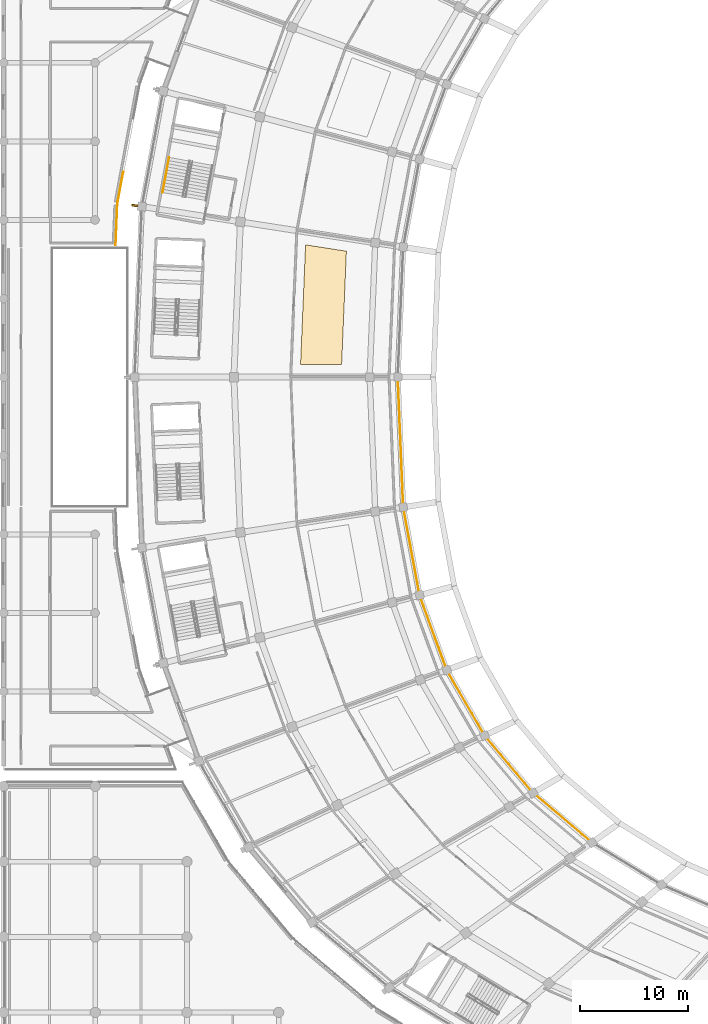
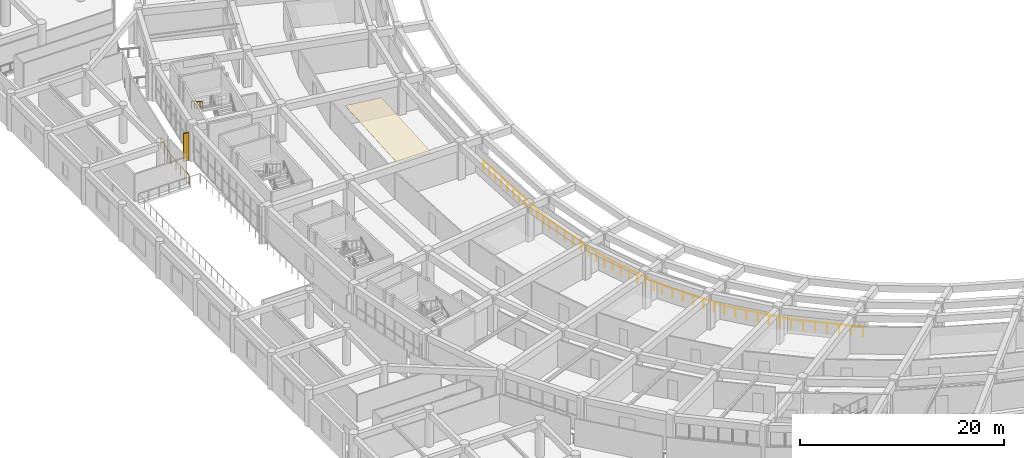
# One storey, part 126 of 145: 3 railings, 1 covering, 1 shading device.
"""IFC4 building model written with IfcOpenShell, lengths in metres."""

from ifc_helpers import new_model, si_unit, direction, frame, origin, origin_2d, place, context, subcontext, project, spatial, polyline, rectangle, circle, outline, extrude, material, layer, layer_set, type_object, element, save


model = new_model("IFC4")

# Units and contexts
model_context = context("Model", 3, precision=1e-05, world=origin(), true_north=direction((0.0, 1.0)))
body_context = subcontext(model_context, "Body", "Model", "MODEL_VIEW")
ifc_project = project(units=[si_unit("LENGTHUNIT", "METRE"), si_unit("AREAUNIT", "SQUARE_METRE"), si_unit("VOLUMEUNIT", "CUBIC_METRE"), si_unit("PLANEANGLEUNIT", "RADIAN"), si_unit("MASSUNIT", "GRAM", prefix="KILO")], contexts=[model_context])

# Site, building, storey
site_placement = place(None, origin())
site = spatial("IfcSite", under=ifc_project, at=site_placement, CompositionType="ELEMENT")
building_placement = place(site_placement, origin())
building = spatial("IfcBuilding", under=site, at=building_placement, Name="Mphavela Belvedere Stadium", CompositionType="ELEMENT")
storey_placement = place(building_placement, frame((0.0, 0.0, 10.199951171875)))
storey = spatial("IfcBuildingStorey", under=building, at=storey_placement, Name="L02", CompositionType="ELEMENT", Elevation=10.199951171875)

# Covering
ifc_material_1 = material(Name="Perforated acoustic mineral ceiling tile")
ifc_layer = layer(ifc_material_1, 0.0400390625)
ifc_layer_set = layer_set([ifc_layer], Name="Perforated acoustic mineral ceiling tile")
covering_type = type_object("IfcCoveringType", Name="COV-CEILING-ACOUSTIC", PredefinedType="CEILING", material=ifc_layer_set)
covering_placement = place(storey_placement, frame((0.0, 0.0, 3.199951171875)))
element("IfcCovering", 1, at=covering_placement, inside=storey, type_object=covering_type, Name="Concourse acoustic ceiling L02-24", PredefinedType="CEILING", context=body_context, shape_type="SweptSolid", body=[
    extrude(outline(polyline([(31.845703125, 98.70361328125), (31.40478515625, 88.1865234375), (27.5869140625, 88.1865234375), (28.052490234375, 99.291748046875), (31.845703125, 98.70361328125)])), origin(), (0.0, 0.0, 1.0), 0.0400390625),
])

# Railings
ifc_material_2 = material(Name="Bronze and laminated glass stadium balustrade", Category="glass")
railing_type_1 = type_object("IfcRailingType", Name="RAL-BALUSTRADE-1120", PredefinedType="BALUSTRADE", material=ifc_material_2)
railing_1_placement = place(storey_placement, frame((36.6240234375, 87.0, 0.0)))
element("IfcRailing", 2, at=railing_1_placement, inside=storey, type_object=railing_type_1, Name="Bowl safety balustrade l02_bowl S5", PredefinedType="BALUSTRADE", context=body_context, shape_type="SweptSolid", body=[
    extrude(circle(Radius=0.02392578125, at=origin_2d()), frame((0.0, 0.0, 1.09619140625), z_axis=(0.041906072647, -0.999121554705, 0.0), x_axis=(0.999121554705, 0.041906072647, 0.0)), (0.0, 0.0, 1.0), 12.088623046875),
    extrude(circle(Radius=0.02392578125, at=origin_2d()), frame((0.506591796875, -12.078125, 1.09619140625), z_axis=(0.182638448973, -0.983180144712, 0.0), x_axis=(0.983180144712, 0.182638448973, 0.0)), (0.0, 0.0, 1.0), 8.30908203125),
    extrude(circle(Radius=0.02392578125, at=origin_2d()), frame((2.024169921875, -20.24755859375, 1.09619140625), z_axis=(0.341037858277, -0.940049562109, 0.0), x_axis=(0.940049562109, 0.341037858277, 0.0)), (0.0, 0.0, 1.0), 7.39501953125),
    extrude(circle(Radius=0.02392578125, at=origin_2d()), frame((4.546142578125, -27.19921875, 1.09619140625), z_axis=(0.500559513075, -0.86570212768, 0.0), x_axis=(0.86570212768, 0.500559513075, 0.0)), (0.0, 0.0, 1.0), 7.02587890625),
    extrude(circle(Radius=0.02392578125, at=origin_2d()), frame((8.06298828125, -33.281494140625, 1.09619140625), z_axis=(0.645159025586, -0.764048317651, 0.0), x_axis=(0.764048317651, 0.645159025586, 0.0)), (0.0, 0.0, 1.0), 6.975830078125),
    extrude(circle(Radius=0.02392578125, at=origin_2d()), frame((12.5634765625, -38.611328125, 1.09619140625), z_axis=(0.76425683958, -0.644911996442, 0.0), x_axis=(0.644911996442, 0.76425683958, 0.0)), (0.0, 0.0, 1.0), 7.1640625),
    extrude(circle(Radius=0.02099609375, at=origin_2d()), origin(), (0.0, 0.0, 1.0), 1.072021484375),
    extrude(circle(Radius=0.02099609375, at=origin_2d()), frame((0.046142578125, -1.097900390625, 0.0)), (0.0, 0.0, 1.0), 1.072021484375),
    extrude(circle(Radius=0.02099609375, at=origin_2d()), frame((0.092041015625, -2.196044921875, 0.0)), (0.0, 0.0, 1.0), 1.072021484375),
    extrude(circle(Radius=0.02099609375, at=origin_2d()), frame((0.13818359375, -3.2939453125, 0.0)), (0.0, 0.0, 1.0), 1.072021484375),
    extrude(circle(Radius=0.02099609375, at=origin_2d()), frame((0.184326171875, -4.39208984375, 0.0)), (0.0, 0.0, 1.0), 1.072021484375),
    extrude(circle(Radius=0.02099609375, at=origin_2d()), frame((0.230224609375, -5.489990234375, 0.0)), (0.0, 0.0, 1.0), 1.072021484375),
    extrude(circle(Radius=0.02099609375, at=origin_2d()), frame((0.2763671875, -6.588134765625, 0.0)), (0.0, 0.0, 1.0), 1.072021484375),
    extrude(circle(Radius=0.02099609375, at=origin_2d()), frame((0.322265625, -7.68603515625, 0.0)), (0.0, 0.0, 1.0), 1.072021484375),
    extrude(circle(Radius=0.02099609375, at=origin_2d()), frame((0.368408203125, -8.7841796875, 0.0)), (0.0, 0.0, 1.0), 1.072021484375),
    extrude(circle(Radius=0.02099609375, at=origin_2d()), frame((0.41455078125, -9.882080078125, 0.0)), (0.0, 0.0, 1.0), 1.072021484375),
    extrude(circle(Radius=0.02099609375, at=origin_2d()), frame((0.46044921875, -10.980224609375, 0.0)), (0.0, 0.0, 1.0), 1.072021484375),
    extrude(circle(Radius=0.02099609375, at=origin_2d()), frame((0.506591796875, -12.078125, 0.0)), (0.0, 0.0, 1.0), 1.072021484375),
    extrude(circle(Radius=0.02099609375, at=origin_2d()), frame((0.723388671875, -13.2451171875, 0.0)), (0.0, 0.0, 1.0), 1.072021484375),
    extrude(circle(Radius=0.02099609375, at=origin_2d()), frame((0.940185546875, -14.412353515625, 0.0)), (0.0, 0.0, 1.0), 1.072021484375),
    extrude(circle(Radius=0.02099609375, at=origin_2d()), frame((1.156982421875, -15.579345703125, 0.0)), (0.0, 0.0, 1.0), 1.072021484375),
    extrude(circle(Radius=0.02099609375, at=origin_2d()), frame((1.373779296875, -16.746337890625, 0.0)), (0.0, 0.0, 1.0), 1.072021484375),
    extrude(circle(Radius=0.02099609375, at=origin_2d()), frame((1.590576171875, -17.913330078125, 0.0)), (0.0, 0.0, 1.0), 1.072021484375),
    extrude(circle(Radius=0.02099609375, at=origin_2d()), frame((1.807373046875, -19.08056640625, 0.0)), (0.0, 0.0, 1.0), 1.072021484375),
    extrude(circle(Radius=0.02099609375, at=origin_2d()), frame((2.024169921875, -20.24755859375, 0.0)), (0.0, 0.0, 1.0), 1.072021484375),
    extrude(circle(Radius=0.02099609375, at=origin_2d()), frame((2.384521484375, -21.24072265625, 0.0)), (0.0, 0.0, 1.0), 1.072021484375),
    extrude(circle(Radius=0.02099609375, at=origin_2d()), frame((2.74462890625, -22.233642578125, 0.0)), (0.0, 0.0, 1.0), 1.072021484375),
    extrude(circle(Radius=0.02099609375, at=origin_2d()), frame((3.10498046875, -23.226806640625, 0.0)), (0.0, 0.0, 1.0), 1.072021484375),
    extrude(circle(Radius=0.02099609375, at=origin_2d()), frame((3.46533203125, -24.219970703125, 0.0)), (0.0, 0.0, 1.0), 1.072021484375),
    extrude(circle(Radius=0.02099609375, at=origin_2d()), frame((3.82568359375, -25.213134765625, 0.0)), (0.0, 0.0, 1.0), 1.072021484375),
    extrude(circle(Radius=0.02099609375, at=origin_2d()), frame((4.185791015625, -26.2060546875, 0.0)), (0.0, 0.0, 1.0), 1.072021484375),
    extrude(circle(Radius=0.02099609375, at=origin_2d()), frame((4.546142578125, -27.19921875, 0.0)), (0.0, 0.0, 1.0), 1.072021484375),
    extrude(circle(Radius=0.02099609375, at=origin_2d()), frame((5.13232421875, -28.212890625, 0.0)), (0.0, 0.0, 1.0), 1.072021484375),
    extrude(circle(Radius=0.02099609375, at=origin_2d()), frame((5.718505859375, -29.2265625, 0.0)), (0.0, 0.0, 1.0), 1.072021484375),
    extrude(circle(Radius=0.02099609375, at=origin_2d()), frame((6.3046875, -30.240234375, 0.0)), (0.0, 0.0, 1.0), 1.072021484375),
    extrude(circle(Radius=0.02099609375, at=origin_2d()), frame((6.890625, -31.254150390625, 0.0)), (0.0, 0.0, 1.0), 1.072021484375),
    extrude(circle(Radius=0.02099609375, at=origin_2d()), frame((7.476806640625, -32.267822265625, 0.0)), (0.0, 0.0, 1.0), 1.072021484375),
    extrude(circle(Radius=0.02099609375, at=origin_2d()), frame((8.06298828125, -33.281494140625, 0.0)), (0.0, 0.0, 1.0), 1.072021484375),
    extrude(circle(Radius=0.02099609375, at=origin_2d()), frame((8.81298828125, -34.169921875, 0.0)), (0.0, 0.0, 1.0), 1.072021484375),
    extrude(circle(Radius=0.02099609375, at=origin_2d()), frame((9.563232421875, -35.05810546875, 0.0)), (0.0, 0.0, 1.0), 1.072021484375),
    extrude(circle(Radius=0.02099609375, at=origin_2d()), frame((10.313232421875, -35.9462890625, 0.0)), (0.0, 0.0, 1.0), 1.072021484375),
    extrude(circle(Radius=0.02099609375, at=origin_2d()), frame((11.063232421875, -36.834716796875, 0.0)), (0.0, 0.0, 1.0), 1.072021484375),
    extrude(circle(Radius=0.02099609375, at=origin_2d()), frame((11.8134765625, -37.72314453125, 0.0)), (0.0, 0.0, 1.0), 1.072021484375),
    extrude(circle(Radius=0.02099609375, at=origin_2d()), frame((12.5634765625, -38.611328125, 0.0)), (0.0, 0.0, 1.0), 1.072021484375),
    extrude(circle(Radius=0.02099609375, at=origin_2d()), frame((13.47607421875, -39.38134765625, 0.0)), (0.0, 0.0, 1.0), 1.072021484375),
    extrude(circle(Radius=0.02099609375, at=origin_2d()), frame((14.388427734375, -40.1513671875, 0.0)), (0.0, 0.0, 1.0), 1.072021484375),
    extrude(circle(Radius=0.02099609375, at=origin_2d()), frame((15.301025390625, -40.92138671875, 0.0)), (0.0, 0.0, 1.0), 1.072021484375),
    extrude(circle(Radius=0.02099609375, at=origin_2d()), frame((16.213623046875, -41.69140625, 0.0)), (0.0, 0.0, 1.0), 1.072021484375),
    extrude(circle(Radius=0.02099609375, at=origin_2d()), frame((17.1259765625, -42.46142578125, 0.0)), (0.0, 0.0, 1.0), 1.072021484375),
    extrude(circle(Radius=0.02099609375, at=origin_2d()), frame((18.03857421875, -43.2314453125, 0.0)), (0.0, 0.0, 1.0), 1.072021484375),
])
railing_2_placement = place(storey_placement, frame((11.12158203125, 106.053466796875, 0.0)))
element("IfcRailing", 3, at=railing_2_placement, inside=storey, type_object=railing_type_1, Name="Peristyle wing gallery edge balustrade L02-55", PredefinedType="BALUSTRADE", context=body_context, shape_type="SweptSolid", body=[
    extrude(circle(Radius=0.02392578125, at=origin_2d()), frame((0.0, 0.0, 1.09619140625), z_axis=(-0.182689544832, -0.983170651621, 0.0), x_axis=(0.983170651621, -0.182689544832, 0.0)), (0.0, 0.0, 1.0), 2.83984375),
    extrude(circle(Radius=0.02392578125, at=origin_2d()), frame((-0.518798828125, -2.7919921875, 1.09619140625), z_axis=(-0.113134174083, -0.993579719325, 0.0), x_axis=(0.993579719325, -0.113134174083, 0.0)), (0.0, 0.0, 1.0), 0.317138671875),
    extrude(circle(Radius=0.02392578125, at=origin_2d()), frame((-0.5546875, -3.107177734375, 1.09619140625), z_axis=(-0.041915584211, -0.999121155716, 0.0), x_axis=(0.999121155716, -0.041915584211, 0.0)), (0.0, 0.0, 1.0), 3.66943359375),
    extrude(circle(Radius=0.02099609375, at=origin_2d()), origin(), (0.0, 0.0, 1.0), 1.072021484375),
    extrude(circle(Radius=0.02099609375, at=origin_2d()), frame((-0.1728515625, -0.9306640625, 0.0)), (0.0, 0.0, 1.0), 1.072021484375),
    extrude(circle(Radius=0.02099609375, at=origin_2d()), frame((-0.345947265625, -1.861328125, 0.0)), (0.0, 0.0, 1.0), 1.072021484375),
    extrude(circle(Radius=0.02099609375, at=origin_2d()), frame((-0.518798828125, -2.7919921875, 0.0)), (0.0, 0.0, 1.0), 1.072021484375),
    extrude(circle(Radius=0.02099609375, at=origin_2d()), frame((-0.5546875, -3.107177734375, 0.0)), (0.0, 0.0, 1.0), 1.072021484375),
    extrude(circle(Radius=0.02099609375, at=origin_2d()), frame((-0.59326171875, -4.023681640625, 0.0)), (0.0, 0.0, 1.0), 1.072021484375),
    extrude(circle(Radius=0.02099609375, at=origin_2d()), frame((-0.631591796875, -4.9404296875, 0.0)), (0.0, 0.0, 1.0), 1.072021484375),
    extrude(circle(Radius=0.02099609375, at=origin_2d()), frame((-0.669921875, -5.85693359375, 0.0)), (0.0, 0.0, 1.0), 1.072021484375),
    extrude(circle(Radius=0.02099609375, at=origin_2d()), frame((-0.70849609375, -6.7734375, 0.0)), (0.0, 0.0, 1.0), 1.072021484375),
])
ifc_material_3 = material(Name="Brushed stainless steel tubular handrail", Category="steel")
railing_type_2 = type_object("IfcRailingType", Name="RAL-HANDRAIL-900", PredefinedType="HANDRAIL", material=ifc_material_3)
railing_3_placement = place(storey_placement, frame((15.380859375, 107.416259765625, 2.4375)))
element("IfcRailing", 4, at=railing_3_placement, inside=storey, type_object=railing_type_2, Name="L02 ST-C06 stair handrail 2", PredefinedType="HANDRAIL", context=body_context, shape_type="SweptSolid", body=[
    extrude(circle(Radius=0.02392578125, at=origin_2d()), frame((0.0, 0.0, 0.8759765625), z_axis=(-0.155087545765, -0.835312509979, 0.52744749864), x_axis=(0.983197592928, -0.182544496661, 0.0)), (0.0, 0.0, 1.0), 3.910400390625),
    extrude(circle(Radius=0.02099609375, at=origin_2d()), origin(), (0.0, 0.0, 1.0), 0.851806640625),
    extrude(circle(Radius=0.02099609375, at=origin_2d()), frame((-0.151611328125, -0.816650390625, 0.515625)), (0.0, 0.0, 1.0), 0.851806640625),
    extrude(circle(Radius=0.02099609375, at=origin_2d()), frame((-0.30322265625, -1.63330078125, 1.03125)), (0.0, 0.0, 1.0), 0.851806640625),
    extrude(circle(Radius=0.02099609375, at=origin_2d()), frame((-0.454833984375, -2.44970703125, 1.546875)), (0.0, 0.0, 1.0), 0.851806640625),
    extrude(circle(Radius=0.02099609375, at=origin_2d()), frame((-0.6064453125, -3.266357421875, 2.0625)), (0.0, 0.0, 1.0), 0.851806640625),
])

# Shading device
ifc_material_4 = material(Name="Honed limestone and bronze vertical brise-soleil fin", Category="masonry")
shading_device_type = type_object("IfcShadingDeviceType", Name="SHD-SOLAR-FIN", PredefinedType="USERDEFINED", material=ifc_material_4)
shading_device_placement = place(storey_placement, frame((12.1796875, 102.9482421875, 0.0), z_axis=(0.0, 0.0, 1.0), x_axis=(-0.98817491911, 0.153330783737, 0.0)))
element("IfcShadingDevice", 5, at=shading_device_placement, inside=storey, type_object=shading_device_type, Name="Classical vertical solar brise-soleil fin L02-24", ObjectType="SOLAR FIN", PredefinedType="USERDEFINED", context=body_context, shape_type="SweptSolid", body=[
    extrude(rectangle(XDim=0.550048828125, YDim=0.179931640625, at=origin_2d()), origin(), (0.0, 0.0, 1.0), 3.320068359375),
])

save(model, "model.ifc")
